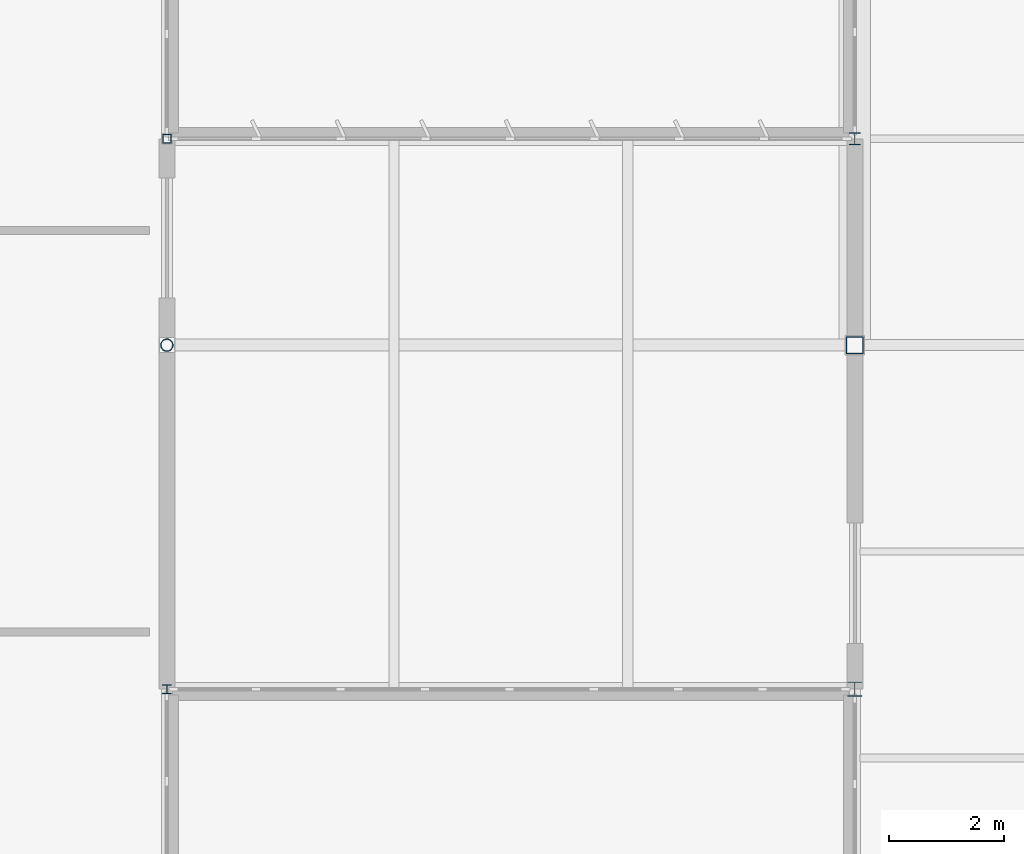
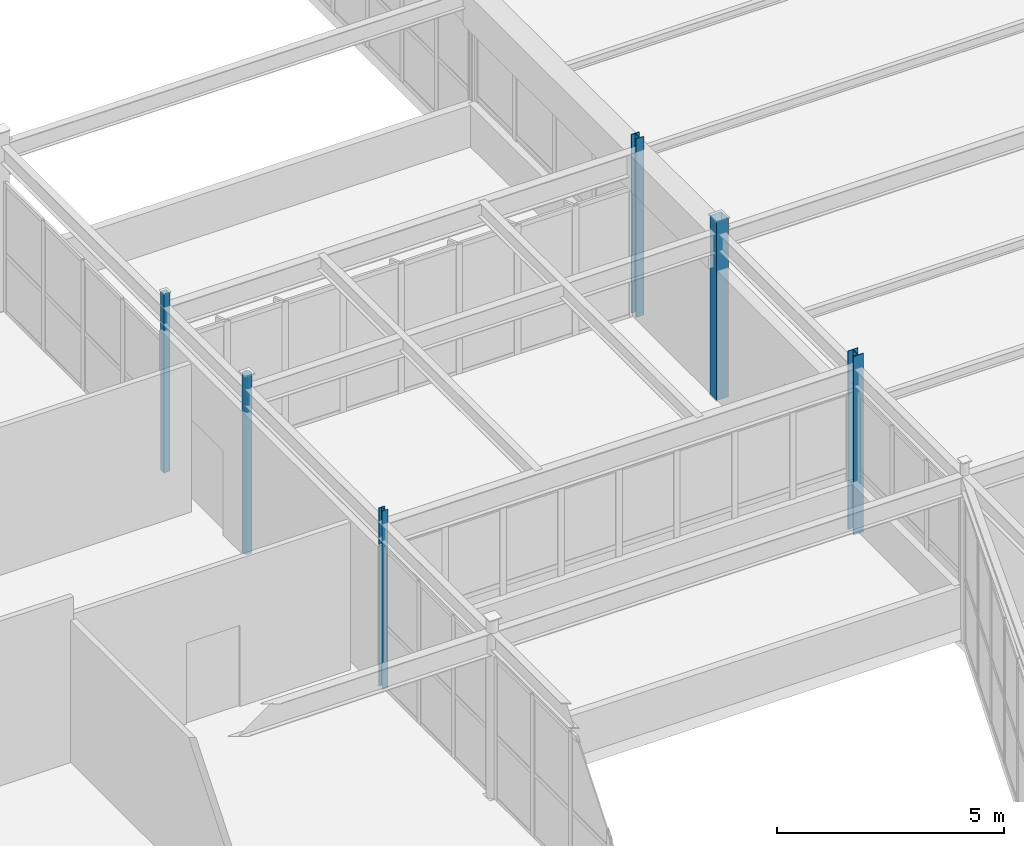
# One storey, part 54 of 226: 6 columns.
"""IFC4 building model written with IfcOpenShell, lengths in metres."""

from ifc_helpers import new_model, si_unit, direction, frame, origin, origin_2d, place, context, subcontext, project, spatial, hollow_rectangle, hollow_circle, i_section, extrude, material, material_profile, profile_set, type_object, element, save


model = new_model("IFC4")

# Units and contexts
model_context = context("Model", 3, precision=1e-05, world=origin(), true_north=direction((0.0, 1.0)))
body_context = subcontext(model_context, "Body", "Model", "MODEL_VIEW")
ifc_project = project(units=[si_unit("LENGTHUNIT", "METRE"), si_unit("AREAUNIT", "SQUARE_METRE"), si_unit("VOLUMEUNIT", "CUBIC_METRE"), si_unit("PLANEANGLEUNIT", "RADIAN"), si_unit("MASSUNIT", "GRAM", prefix="KILO")], contexts=[model_context])

# Site, building, storey
site_placement = place(None, origin())
site = spatial("IfcSite", under=ifc_project, at=site_placement, CompositionType="ELEMENT")
building_placement = place(site_placement, origin())
building = spatial("IfcBuilding", under=site, at=building_placement, Name="Tarnwether General Hospital", CompositionType="ELEMENT")
storey_placement = place(building_placement, frame((0.0, 0.0, 4.800048828125)))
storey = spatial("IfcBuildingStorey", under=building, at=storey_placement, Name="L01", CompositionType="ELEMENT", Elevation=4.800048828125)

# Columns
ifc_material_1 = material(Name="Steel Grade C350L0 (350 MPa)", Category="steel")
ifc_material_profile_1 = material_profile(ifc_material_1, hollow_circle(Radius=0.109619140625, WallThickness=0.010009765625, at=origin_2d()), Name="CHS219.1x10.0")
ifc_profile_set_1 = profile_set([ifc_material_profile_1], Name="Steel Grade C350L0 (350 MPa)")
column_type_1 = type_object("IfcColumnType", Name="COL-13", PredefinedType="COLUMN", material=ifc_profile_set_1)
column_1_placement = place(storey_placement, frame((132.0, 104.39990234375, 0.0), z_axis=(0.0, 0.0, 1.0), x_axis=(0.0, 1.0, 0.0)))
element("IfcColumn", 1, at=column_1_placement, inside=storey, type_object=column_type_1, Name="Column COLG-L01-13200_10440", PredefinedType="COLUMN", context=body_context, shape_type="SweptSolid", body=[
    extrude(hollow_circle(Radius=0.109619140625, WallThickness=0.010009765625, at=origin_2d()), origin(), (0.0, 0.0, 1.0), 4.800048828125),
])
ifc_material_2 = material(Name="Steel Grade 350 (350 MPa)", Category="steel")
ifc_material_profile_2 = material_profile(ifc_material_2, i_section(OverallWidth=0.25390625, OverallDepth=0.25390625, WebThickness=0.008544921875, FlangeThickness=0.01416015625, at=origin_2d()), Name="250UC72.9")
ifc_profile_set_2 = profile_set([ifc_material_profile_2], Name="Steel Grade 350 (350 MPa)")
column_type_2 = type_object("IfcColumnType", Name="COL-24", PredefinedType="COLUMN", material=ifc_profile_set_2)
column_2_placement = place(storey_placement, frame((144.0, 98.39990234375, 0.0), z_axis=(0.0, 0.0, 1.0), x_axis=(1.0, 0.0, 0.0)))
element("IfcColumn", 2, at=column_2_placement, inside=storey, type_object=column_type_2, Name="Column COLG-L01-14400_9840", PredefinedType="COLUMN", context=body_context, shape_type="SweptSolid", body=[
    extrude(i_section(OverallWidth=0.25390625, OverallDepth=0.25390625, WebThickness=0.008544921875, FlangeThickness=0.01416015625, at=origin_2d()), origin(), (0.0, 0.0, 1.0), 4.800048828125),
])
ifc_material_3 = material(Name="Steel Grade 350 (350 MPa)", Category="steel")
ifc_material_profile_3 = material_profile(ifc_material_3, i_section(OverallWidth=0.205078125, OverallDepth=0.2099609375, WebThickness=0.00927734375, FlangeThickness=0.01416015625, at=origin_2d()), Name="200UC59.5")
ifc_profile_set_3 = profile_set([ifc_material_profile_3], Name="Steel Grade 350 (350 MPa)")
column_type_3 = type_object("IfcColumnType", Name="COL-25", PredefinedType="COLUMN", material=ifc_profile_set_3)
column_3_placement = place(storey_placement, frame((144.0, 108.0, 0.0), z_axis=(0.0, 0.0, 1.0), x_axis=(1.0, 0.0, 0.0)))
element("IfcColumn", 3, at=column_3_placement, inside=storey, type_object=column_type_3, Name="Column COLG-L01-14400_10800", PredefinedType="COLUMN", context=body_context, shape_type="SweptSolid", body=[
    extrude(i_section(OverallWidth=0.205078125, OverallDepth=0.2099609375, WebThickness=0.00927734375, FlangeThickness=0.01416015625, at=origin_2d()), origin(), (0.0, 0.0, 1.0), 4.800048828125),
])
ifc_material_4 = material(Name="Steel Grade C350L0 (350 MPa)", Category="steel")
ifc_material_profile_4 = material_profile(ifc_material_4, hollow_rectangle(XDim=0.300048828125, YDim=0.300048828125, WallThickness=0.012451171875, at=origin_2d()), Name="SHS300x300x12.5")
ifc_profile_set_4 = profile_set([ifc_material_profile_4], Name="Steel Grade C350L0 (350 MPa)")
column_type_4 = type_object("IfcColumnType", Name="COL-30", PredefinedType="COLUMN", material=ifc_profile_set_4)
column_4_placement = place(storey_placement, frame((144.0, 104.39990234375, 0.0), z_axis=(0.0, 0.0, 1.0), x_axis=(1.0, 0.0, 0.0)))
element("IfcColumn", 4, at=column_4_placement, inside=storey, type_object=column_type_4, Name="Column COLG-L01-14400_10440", PredefinedType="COLUMN", context=body_context, shape_type="SweptSolid", body=[
    extrude(hollow_rectangle(XDim=0.300048828125, YDim=0.300048828125, WallThickness=0.012451171875, at=origin_2d()), origin(), (0.0, 0.0, 1.0), 4.800048828125),
])
ifc_material_5 = material(Name="Steel Grade 350 (350 MPa)", Category="steel")
ifc_material_profile_5 = material_profile(ifc_material_5, i_section(OverallWidth=0.152099609375, OverallDepth=0.152099609375, WebThickness=0.006103515625, FlangeThickness=0.0068359375, at=origin_2d()), Name="150UC23.4")
ifc_profile_set_5 = profile_set([ifc_material_profile_5], Name="Steel Grade 350 (350 MPa)")
column_type_5 = type_object("IfcColumnType", Name="COL-32", PredefinedType="COLUMN", material=ifc_profile_set_5)
column_5_placement = place(storey_placement, frame((132.0, 98.39990234375, 0.0), z_axis=(0.0, 0.0, 1.0), x_axis=(1.0, 0.0, 0.0)))
element("IfcColumn", 5, at=column_5_placement, inside=storey, type_object=column_type_5, Name="Column COLG-L01-13200_9840", PredefinedType="COLUMN", context=body_context, shape_type="SweptSolid", body=[
    extrude(i_section(OverallWidth=0.152099609375, OverallDepth=0.152099609375, WebThickness=0.006103515625, FlangeThickness=0.0068359375, at=origin_2d()), origin(), (0.0, 0.0, 1.0), 4.800048828125),
])
ifc_material_6 = material(Name="Steel Grade C350L0 (350 MPa)", Category="steel")
ifc_material_profile_6 = material_profile(ifc_material_6, hollow_rectangle(XDim=0.14990234375, YDim=0.14990234375, WallThickness=0.008056640625, at=origin_2d()), Name="SHS150x150x8")
ifc_profile_set_6 = profile_set([ifc_material_profile_6], Name="Steel Grade C350L0 (350 MPa)")
column_type_6 = type_object("IfcColumnType", Name="COL-33", PredefinedType="COLUMN", material=ifc_profile_set_6)
column_6_placement = place(storey_placement, frame((132.0, 108.0, 0.0), z_axis=(0.0, 0.0, 1.0), x_axis=(1.0, 0.0, 0.0)))
element("IfcColumn", 6, at=column_6_placement, inside=storey, type_object=column_type_6, Name="Column COLG-L01-13200_10800", PredefinedType="COLUMN", context=body_context, shape_type="SweptSolid", body=[
    extrude(hollow_rectangle(XDim=0.14990234375, YDim=0.14990234375, WallThickness=0.008056640625, at=origin_2d()), origin(), (0.0, 0.0, 1.0), 4.800048828125),
])

save(model, "model.ifc")
